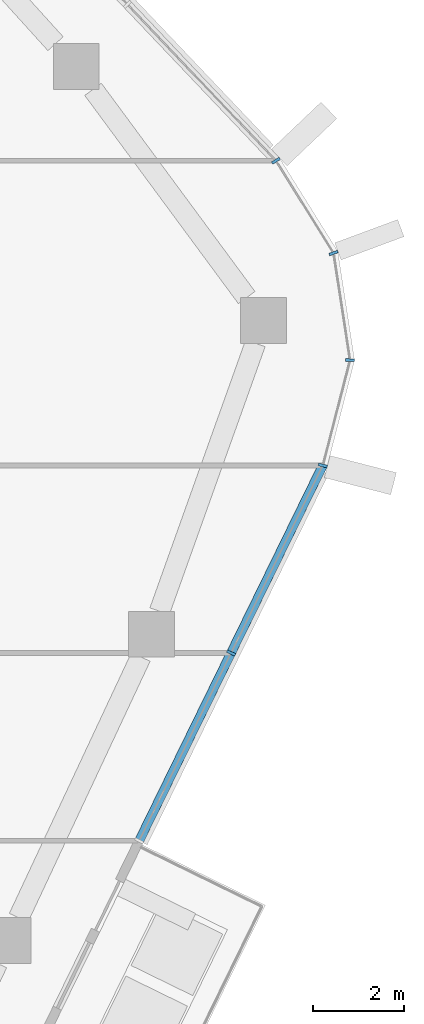
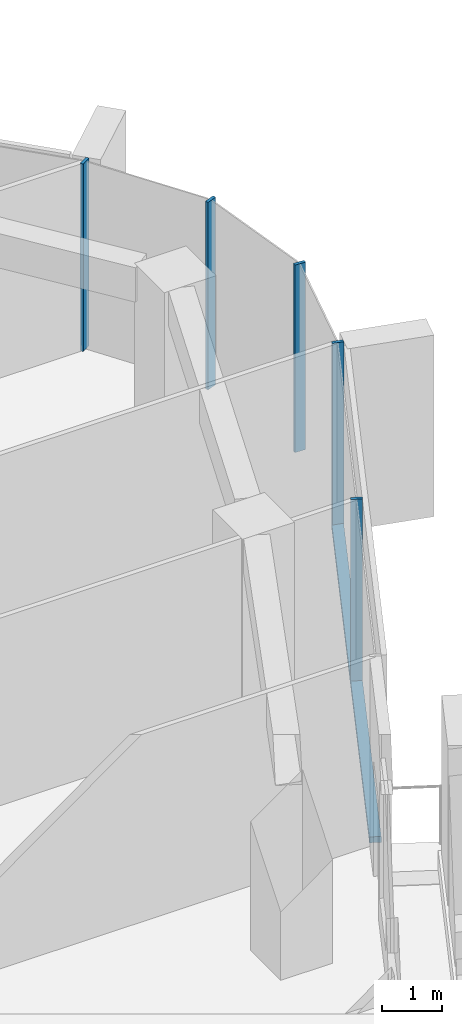
# One storey, part 10 of 23: 6 members, 2 elements without a shape of their own.
"""IFC4 building model written with IfcOpenShell, lengths in metres."""

from ifc_helpers import new_model, si_unit, direction, frame, origin, origin_2d, place, context, subcontext, project, spatial, rectangle, extrude, material, layer, layer_set, material_profile, profile_set, type_object, element, aggregate, save


model = new_model("IFC4")

# Units and contexts
model_context = context("Model", 3, precision=1e-05, world=origin(), true_north=direction((0.0, 1.0)))
body_context = subcontext(model_context, "Body", "Model", "MODEL_VIEW")
ifc_project = project(units=[si_unit("LENGTHUNIT", "METRE"), si_unit("AREAUNIT", "SQUARE_METRE"), si_unit("VOLUMEUNIT", "CUBIC_METRE"), si_unit("PLANEANGLEUNIT", "RADIAN"), si_unit("MASSUNIT", "GRAM", prefix="KILO")], contexts=[model_context])

# Site, building, storey
site_placement = place(None, origin())
site = spatial("IfcSite", under=ifc_project, at=site_placement, CompositionType="ELEMENT")
building_placement = place(site_placement, origin())
building = spatial("IfcBuilding", under=site, at=building_placement, Name="Dongbaek Canopy Tower", CompositionType="ELEMENT")
storey_placement = place(building_placement, frame((0.0, 0.0, 336.199951171875)))
storey = spatial("IfcBuildingStorey", under=building, at=storey_placement, Name="L72", CompositionType="ELEMENT", Elevation=336.199951171875)

# Curtain wall, members
ifc_material_1 = material(Name="Aluminium 6063-T6 pale anodised", Category="aluminium")
ifc_layer = layer(ifc_material_1, 0.199951171875)
ifc_layer_set = layer_set([ifc_layer], Name="CW-1 unitised tower curtain wall")
curtain_wall_type = type_object("IfcCurtainWallType", Name="CW-1 unitised tower curtain wall", PredefinedType="NOTDEFINED", material=ifc_layer_set)
curtain_wall_1_placement = place(storey_placement, origin())
curtain_wall_1 = element("IfcCurtainWall", 1, at=curtain_wall_1_placement, inside=storey, type_object=curtain_wall_type, Name="CW-1 curtain wall K0.1", PredefinedType="NOTDEFINED")
ifc_material_2 = material(Name="Aluminium 6063-T6 pale anodised", Category="aluminium")
ifc_material_profile_1 = material_profile(ifc_material_2, rectangle(XDim=0.199951171875, YDim=0.06005859375, at=origin_2d()), Name="CW-1 mullion 60 x 200")
ifc_profile_set_1 = profile_set([ifc_material_profile_1], Name="Aluminium 6063-T6 pale anodised")
member_type_1 = type_object("IfcMemberType", Name="CW-1 mullion 60 x 200", PredefinedType="MULLION", material=ifc_profile_set_1)
member_1_placement = place(storey_placement, frame((32.101806640625, 3.521728515625, 0.0), z_axis=(0.0, 0.0, 1.0), x_axis=(0.96831359198, -0.249737437294, 0.0)))
member_1 = element("IfcMember", 2, at=member_1_placement, type_object=member_type_1, Name="CW-1 mullion K0.1.1", PredefinedType="MULLION", context=body_context, shape_type="SweptSolid", body=[
    extrude(rectangle(XDim=0.199951171875, YDim=0.06005859375, at=origin_2d()), origin(), (0.0, 0.0, 1.0), 3.820068359375),
])
member_2_placement = place(storey_placement, frame((32.69677734375, 5.828369140625, 0.0), z_axis=(0.0, 0.0, 1.0), x_axis=(0.998752390413, -0.049936586234, 0.0)))
member_2 = element("IfcMember", 3, at=member_2_placement, type_object=member_type_1, Name="CW-1 mullion K0.1.2", PredefinedType="MULLION", context=body_context, shape_type="SweptSolid", body=[
    extrude(rectangle(XDim=0.199951171875, YDim=0.06005859375, at=origin_2d()), origin(), (0.0, 0.0, 1.0), 3.820068359375),
])
member_3_placement = place(storey_placement, frame((32.33642578125, 8.1728515625, 0.0), z_axis=(0.0, 0.0, 1.0), x_axis=(0.937665225742, 0.347539817049, 0.0)))
member_3 = element("IfcMember", 4, at=member_3_placement, type_object=member_type_1, Name="CW-1 mullion K0.1.3", PredefinedType="MULLION", context=body_context, shape_type="SweptSolid", body=[
    extrude(rectangle(XDim=0.199951171875, YDim=0.06005859375, at=origin_2d()), origin(), (0.0, 0.0, 1.0), 3.820068359375),
])
member_4_placement = place(storey_placement, frame((31.076416015625, 10.1943359375, 0.0), z_axis=(0.0, 0.0, 1.0), x_axis=(0.848634483978, 0.528979690161, 0.0)))
member_4 = element("IfcMember", 5, at=member_4_placement, type_object=member_type_1, Name="CW-1 mullion K0.1.4", PredefinedType="MULLION", context=body_context, shape_type="SweptSolid", body=[
    extrude(rectangle(XDim=0.199951171875, YDim=0.06005859375, at=origin_2d()), origin(), (0.0, 0.0, 1.0), 3.820068359375),
])
aggregate(curtain_wall_1, [member_1, member_2, member_3, member_4])

curtain_wall_2_placement = place(storey_placement, origin())
curtain_wall_2 = element("IfcCurtainWall", 6, at=curtain_wall_2_placement, inside=storey, type_object=curtain_wall_type, Name="CW-1 curtain wall F5.1", PredefinedType="NOTDEFINED")
member_5_placement = place(storey_placement, frame((30.094482421875, -0.582763671875, 0.1201171875), z_axis=(0.0, 0.0, 1.0), x_axis=(0.89832218457, -0.439337288093, 0.0)))
member_5 = element("IfcMember", 7, at=member_5_placement, type_object=member_type_1, Name="CW-1 mullion F5.1.2", PredefinedType="MULLION", context=body_context, shape_type="SweptSolid", body=[
    extrude(rectangle(XDim=0.199951171875, YDim=0.06005859375, at=origin_2d()), origin(), (0.0, 0.0, 1.0), 3.699951171875),
])
ifc_material_3 = material(Name="Aluminium 6063-T6 pale anodised", Category="aluminium")
ifc_material_profile_2 = material_profile(ifc_material_3, rectangle(XDim=0.199951171875, YDim=0.1201171875, at=origin_2d()), Name="CW-1 transom 120 x 200")
ifc_profile_set_2 = profile_set([ifc_material_profile_2], Name="Aluminium 6063-T6 pale anodised")
member_type_2 = type_object("IfcMemberType", Name="CW-1 transom 120 x 200", PredefinedType="USERDEFINED", material=ifc_profile_set_2)
member_6_placement = place(storey_placement, frame((28.08251953125, -4.6962890625, 0.06005859375), z_axis=(0.439350369749, 0.898315786681, 0.0), x_axis=(-0.898315786681, 0.439350369749, 0.0)))
member_6 = element("IfcMember", 8, at=member_6_placement, type_object=member_type_2, Name="CW-1 transom F5.1.1", ObjectType="TRANSOM", PredefinedType="USERDEFINED", context=body_context, shape_type="SweptSolid", body=[
    extrude(rectangle(XDim=0.199951171875, YDim=0.1201171875, at=origin_2d()), origin(), (0.0, 0.0, 1.0), 9.148193359375),
])
aggregate(curtain_wall_2, [member_5, member_6])

save(model, "model.ifc")
